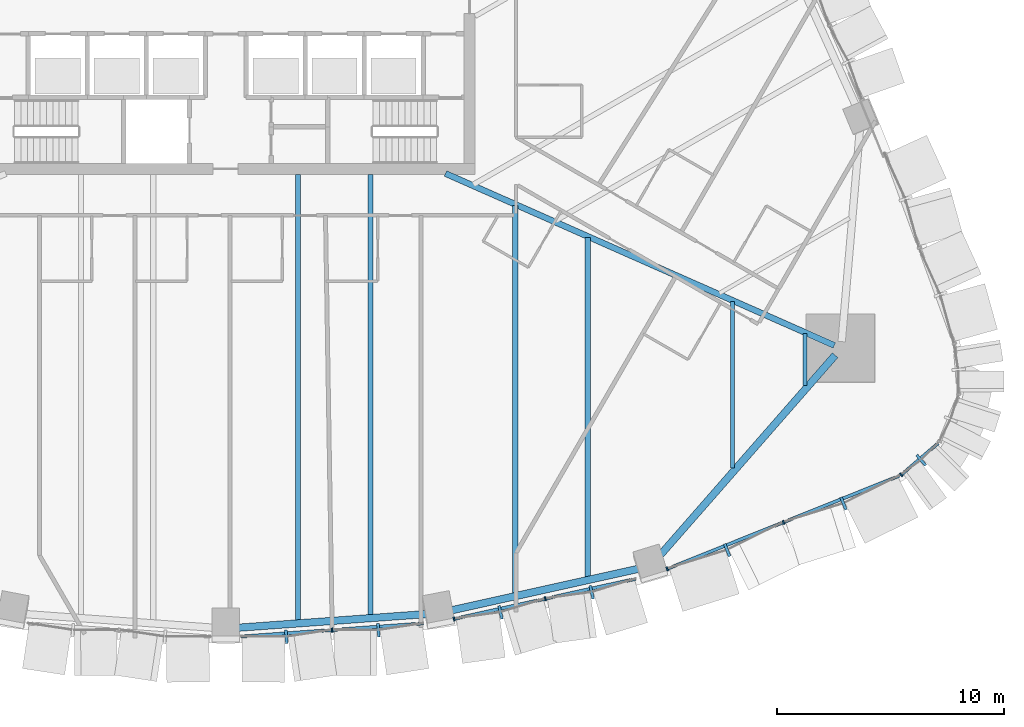
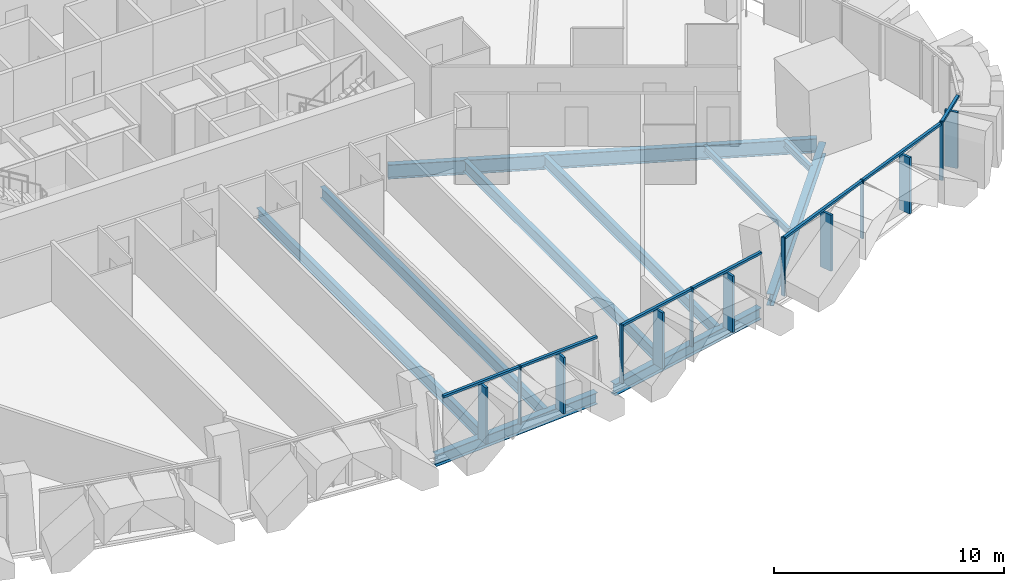
# One storey, part 4 of 23: 20 members, 10 beams, 4 elements without a shape of their own.
"""IFC4 building model written with IfcOpenShell, lengths in metres."""

from ifc_helpers import new_model, si_unit, direction, frame, origin, origin_2d, place, context, subcontext, project, spatial, rectangle, i_section, extrude, material, layer, layer_set, material_profile, profile_set, type_object, element, aggregate, save


model = new_model("IFC4")

# Units and contexts
model_context = context("Model", 3, precision=1e-05, world=origin(), true_north=direction((0.0, 1.0)))
body_context = subcontext(model_context, "Body", "Model", "MODEL_VIEW")
ifc_project = project(units=[si_unit("LENGTHUNIT", "METRE"), si_unit("AREAUNIT", "SQUARE_METRE"), si_unit("VOLUMEUNIT", "CUBIC_METRE"), si_unit("PLANEANGLEUNIT", "RADIAN"), si_unit("MASSUNIT", "GRAM", prefix="KILO")], contexts=[model_context])

# Site, building, storey
site_placement = place(None, origin())
site = spatial("IfcSite", under=ifc_project, at=site_placement, CompositionType="ELEMENT")
building_placement = place(site_placement, origin())
building = spatial("IfcBuilding", under=site, at=building_placement, Name="Sierra Prisma Convention Tower", CompositionType="ELEMENT")
storey_placement = place(building_placement, frame((0.0, 0.0, 51.699951171875)))
storey = spatial("IfcBuildingStorey", under=building, at=storey_placement, Name="L08", CompositionType="ELEMENT", Elevation=51.699951171875)

# Curtain wall, members
ifc_material_1 = material(Name="Aluminium and glass curtain wall", Category="aluminium")
ifc_layer = layer(ifc_material_1, 0.179931640625)
ifc_layer_set = layer_set([ifc_layer], Name="CW-2 Faceted crystal curtain wall")
curtain_wall_type = type_object("IfcCurtainWallType", Name="CW-2 Faceted crystal curtain wall", PredefinedType="NOTDEFINED", material=ifc_layer_set)
curtain_wall_1_placement = place(storey_placement, origin())
curtain_wall_1 = element("IfcCurtainWall", 1, at=curtain_wall_1_placement, inside=storey, type_object=curtain_wall_type, Name="CW-2 S4 L08", PredefinedType="NOTDEFINED")
ifc_material_2 = material(Name="Aluminium 6063-T6 bronze anodised", Category="aluminium")
ifc_material_profile_1 = material_profile(ifc_material_2, rectangle(XDim=0.1201171875, YDim=0.60009765625, at=origin_2d()), Name="ALU RIDGE BLADE 120x600")
ifc_profile_set_1 = profile_set([ifc_material_profile_1], Name="Aluminium 6063-T6 bronze anodised")
member_type_1 = type_object("IfcMemberType", Name="CW hip bronze", PredefinedType="MULLION", material=ifc_profile_set_1)
member_1_placement = place(storey_placement, frame((2.67431640625, -28.37890625, 0.0), z_axis=(0.0, 0.0, 1.0), x_axis=(0.997411104525, 0.071910281389, 0.0)))
member_1 = element("IfcMember", 2, at=member_1_placement, type_object=member_type_1, Name="CW-2 ridge S4.1", PredefinedType="MULLION", context=body_context, shape_type="SweptSolid", body=[
    extrude(rectangle(XDim=0.1201171875, YDim=0.60009765625, at=origin_2d()), origin(), (0.0, 0.0, 1.0), 2.97998046875),
])
member_2_placement = place(storey_placement, frame((6.733642578125, -28.08642578125, 0.0), z_axis=(0.0, 0.0, 1.0), x_axis=(0.997411104525, 0.071910281389, 0.0)))
member_2 = element("IfcMember", 3, at=member_2_placement, type_object=member_type_1, Name="CW-2 ridge S4.2", PredefinedType="MULLION", context=body_context, shape_type="SweptSolid", body=[
    extrude(rectangle(XDim=0.1201171875, YDim=0.60009765625, at=origin_2d()), origin(), (0.0, 0.0, 1.0), 2.97998046875),
])

curtain_wall_2_placement = place(storey_placement, origin())
curtain_wall_2 = element("IfcCurtainWall", 4, at=curtain_wall_2_placement, inside=storey, type_object=curtain_wall_type, Name="CW-2 S5 L08", PredefinedType="NOTDEFINED")
member_3_placement = place(storey_placement, frame((12.114013671875, -27.29833984375, 0.0), z_axis=(0.0, 0.0, 1.0), x_axis=(0.976517484103, 0.215438165701, 0.0)))
member_3 = element("IfcMember", 5, at=member_3_placement, type_object=member_type_1, Name="CW-2 ridge S5.1", PredefinedType="MULLION", context=body_context, shape_type="SweptSolid", body=[
    extrude(rectangle(XDim=0.1201171875, YDim=0.60009765625, at=origin_2d()), origin(), (0.0, 0.0, 1.0), 2.97998046875),
])
member_4_placement = place(storey_placement, frame((16.13427734375, -26.41162109375, 0.0), z_axis=(0.0, 0.0, 1.0), x_axis=(0.976517484103, 0.215438165701, 0.0)))
member_4 = element("IfcMember", 6, at=member_4_placement, type_object=member_type_1, Name="CW-2 ridge S5.2", PredefinedType="MULLION", context=body_context, shape_type="SweptSolid", body=[
    extrude(rectangle(XDim=0.1201171875, YDim=0.60009765625, at=origin_2d()), origin(), (0.0, 0.0, 1.0), 2.97998046875),
])

curtain_wall_3_placement = place(storey_placement, origin())
curtain_wall_3 = element("IfcCurtainWall", 7, at=curtain_wall_3_placement, inside=storey, type_object=curtain_wall_type, Name="CW-2 S6 L08", PredefinedType="NOTDEFINED")
member_5_placement = place(storey_placement, frame((22.105712890625, -24.553955078125, 0.0), z_axis=(0.0, 0.0, 1.0), x_axis=(0.928218469403, 0.372035580367, 0.0)))
member_5 = element("IfcMember", 8, at=member_5_placement, type_object=member_type_1, Name="CW-2 ridge S6.1", PredefinedType="MULLION", context=body_context, shape_type="SweptSolid", body=[
    extrude(rectangle(XDim=0.1201171875, YDim=0.60009765625, at=origin_2d()), origin(), (0.0, 0.0, 1.0), 2.97998046875),
])
member_6_placement = place(storey_placement, frame((27.234375, -22.498291015625, 0.0), z_axis=(0.0, 0.0, 1.0), x_axis=(0.928218469403, 0.372035580367, 0.0)))
member_6 = element("IfcMember", 9, at=member_6_placement, type_object=member_type_1, Name="CW-2 ridge S6.2", PredefinedType="MULLION", context=body_context, shape_type="SweptSolid", body=[
    extrude(rectangle(XDim=0.1201171875, YDim=0.60009765625, at=origin_2d()), origin(), (0.0, 0.0, 1.0), 2.97998046875),
])

# Curtain wall, member
curtain_wall_4_placement = place(storey_placement, origin())
curtain_wall_4 = element("IfcCurtainWall", 10, at=curtain_wall_4_placement, inside=storey, type_object=curtain_wall_type, Name="CW-2 SE1 L08", PredefinedType="NOTDEFINED")
member_7_placement = place(storey_placement, frame((30.658447265625, -20.591064453125, 0.0), z_axis=(0.0, 0.0, 1.0), x_axis=(0.759758893497, 0.650204909049, 0.0)))
member_7 = element("IfcMember", 11, at=member_7_placement, type_object=member_type_1, Name="CW-2 ridge SE1.1", PredefinedType="MULLION", context=body_context, shape_type="SweptSolid", body=[
    extrude(rectangle(XDim=0.1201171875, YDim=0.60009765625, at=origin_2d()), origin(), (0.0, 0.0, 1.0), 2.97998046875),
])

# Member
ifc_material_3 = material(Name="Aluminium 6063-T6 bronze anodised", Category="aluminium")
ifc_material_profile_2 = material_profile(ifc_material_3, rectangle(XDim=0.179931640625, YDim=0.070068359375, at=origin_2d()), Name="ALU MULLION 70x180")
ifc_profile_set_2 = profile_set([ifc_material_profile_2], Name="Aluminium 6063-T6 bronze anodised")
member_type_2 = type_object("IfcMemberType", Name="CW mullion bronze", PredefinedType="MULLION", material=ifc_profile_set_2)
member_8_placement = place(storey_placement, frame((4.692626953125, -28.07568359375, 0.0), z_axis=(0.0, 0.0, 1.0), x_axis=(-0.071910281389, 0.997411104525, 0.0)))
member_8 = element("IfcMember", 12, at=member_8_placement, type_object=member_type_2, Name="CW-1 mullion S4.2", PredefinedType="MULLION", context=body_context, shape_type="SweptSolid", body=[
    extrude(rectangle(XDim=0.179931640625, YDim=0.070068359375, at=origin_2d()), origin(), (0.0, 0.0, 1.0), 3.10009765625),
])

member_9_placement = place(storey_placement, frame((10.069580078125, -27.58642578125, 0.0), z_axis=(0.0, 0.0, 1.0), x_axis=(-0.215438165701, 0.976517484103, 0.0)))
member_9 = element("IfcMember", 13, at=member_9_placement, type_object=member_type_2, Name="CW-1 mullion S5.1", PredefinedType="MULLION", context=body_context, shape_type="SweptSolid", body=[
    extrude(rectangle(XDim=0.179931640625, YDim=0.070068359375, at=origin_2d()), origin(), (0.0, 0.0, 1.0), 3.10009765625),
])

member_10_placement = place(storey_placement, frame((14.08984375, -26.699462890625, 0.0), z_axis=(0.0, 0.0, 1.0), x_axis=(-0.215438165701, 0.976517484103, 0.0)))
member_10 = element("IfcMember", 14, at=member_10_placement, type_object=member_type_2, Name="CW-1 mullion S5.2", PredefinedType="MULLION", context=body_context, shape_type="SweptSolid", body=[
    extrude(rectangle(XDim=0.179931640625, YDim=0.070068359375, at=origin_2d()), origin(), (0.0, 0.0, 1.0), 3.10009765625),
])

member_11_placement = place(storey_placement, frame((19.46142578125, -25.382568359375, 0.0), z_axis=(0.0, 0.0, 1.0), x_axis=(-0.372035580367, 0.928218469403, 0.0)))
member_11 = element("IfcMember", 15, at=member_11_placement, type_object=member_type_2, Name="CW-1 mullion S6.1", PredefinedType="MULLION", context=body_context, shape_type="SweptSolid", body=[
    extrude(rectangle(XDim=0.179931640625, YDim=0.070068359375, at=origin_2d()), origin(), (0.0, 0.0, 1.0), 3.10009765625),
])

member_12_placement = place(storey_placement, frame((24.59033203125, -23.326904296875, 0.0), z_axis=(0.0, 0.0, 1.0), x_axis=(-0.372035580367, 0.928218469403, 0.0)))
member_12 = element("IfcMember", 16, at=member_12_placement, type_object=member_type_2, Name="CW-1 mullion S6.2", PredefinedType="MULLION", context=body_context, shape_type="SweptSolid", body=[
    extrude(rectangle(XDim=0.179931640625, YDim=0.070068359375, at=origin_2d()), origin(), (0.0, 0.0, 1.0), 3.10009765625),
])

member_13_placement = place(storey_placement, frame((29.778076171875, -21.235595703125, 0.0), z_axis=(0.0, 0.0, 1.0), x_axis=(-0.650204909049, 0.759758893497, 0.0)))
member_13 = element("IfcMember", 17, at=member_13_placement, type_object=member_type_2, Name="CW-1 mullion SE1.1", PredefinedType="MULLION", context=body_context, shape_type="SweptSolid", body=[
    extrude(rectangle(XDim=0.179931640625, YDim=0.070068359375, at=origin_2d()), origin(), (0.0, 0.0, 1.0), 3.10009765625),
])

ifc_material_4 = material(Name="Aluminium 6063-T6 bronze anodised", Category="aluminium")
ifc_material_profile_3 = material_profile(ifc_material_4, rectangle(XDim=0.139892578125, YDim=0.1201171875, at=origin_2d()), Name="ALU TRANSOM 120x140")
ifc_profile_set_3 = profile_set([ifc_material_profile_3], Name="Aluminium 6063-T6 bronze anodised")
member_type_3 = type_object("IfcMemberType", Name="CW transom bronze", PredefinedType="USERDEFINED", material=ifc_profile_set_3)
member_14_placement = place(storey_placement, frame((0.668212890625, -28.36572265625, 3.0400390625), z_axis=(0.997411699787, 0.0719020245, 0.0), x_axis=(-0.0719020245, 0.997411699787, 0.0)))
member_14 = element("IfcMember", 18, at=member_14_placement, type_object=member_type_3, Name="CW-1 transom S4.1", ObjectType="TRANSOM", PredefinedType="USERDEFINED", context=body_context, shape_type="SweptSolid", body=[
    extrude(rectangle(XDim=0.139892578125, YDim=0.1201171875, at=origin_2d()), origin(), (0.0, 0.0, 1.0), 3.999755859375),
])

member_15_placement = place(storey_placement, frame((4.7275390625, -28.0732421875, 3.0400390625), z_axis=(0.997411699787, 0.0719020245, 0.0), x_axis=(-0.0719020245, 0.997411699787, 0.0)))
member_15 = element("IfcMember", 19, at=member_15_placement, type_object=member_type_3, Name="CW-1 transom S4.2", ObjectType="TRANSOM", PredefinedType="USERDEFINED", context=body_context, shape_type="SweptSolid", body=[
    extrude(rectangle(XDim=0.139892578125, YDim=0.1201171875, at=origin_2d()), origin(), (0.0, 0.0, 1.0), 3.999755859375),
])

aggregate(curtain_wall_1, [member_8, member_14, member_1, member_15, member_2])

member_16_placement = place(storey_placement, frame((10.103759765625, -27.578857421875, 3.0400390625), z_axis=(0.976519481055, 0.215429113909, 0.0), x_axis=(-0.215429113909, 0.976519481055, 0.0)))
member_16 = element("IfcMember", 20, at=member_16_placement, type_object=member_type_3, Name="CW-1 transom S5.1", ObjectType="TRANSOM", PredefinedType="USERDEFINED", context=body_context, shape_type="SweptSolid", body=[
    extrude(rectangle(XDim=0.139892578125, YDim=0.1201171875, at=origin_2d()), origin(), (0.0, 0.0, 1.0), 4.046875),
])

member_17_placement = place(storey_placement, frame((14.1240234375, -26.69189453125, 3.0400390625), z_axis=(0.976519481055, 0.215429113909, 0.0), x_axis=(-0.215429113909, 0.976519481055, 0.0)))
member_17 = element("IfcMember", 21, at=member_17_placement, type_object=member_type_3, Name="CW-1 transom S5.2", ObjectType="TRANSOM", PredefinedType="USERDEFINED", context=body_context, shape_type="SweptSolid", body=[
    extrude(rectangle(XDim=0.139892578125, YDim=0.1201171875, at=origin_2d()), origin(), (0.0, 0.0, 1.0), 4.046875),
])

aggregate(curtain_wall_2, [member_9, member_10, member_16, member_3, member_17, member_4])

member_18_placement = place(storey_placement, frame((19.493896484375, -25.36962890625, 3.0400390625), z_axis=(0.928226491865, 0.372015563922, 0.0), x_axis=(-0.372015563922, 0.928226491865, 0.0)))
member_18 = element("IfcMember", 22, at=member_18_placement, type_object=member_type_3, Name="CW-1 transom S6.1", ObjectType="TRANSOM", PredefinedType="USERDEFINED", context=body_context, shape_type="SweptSolid", body=[
    extrude(rectangle(XDim=0.139892578125, YDim=0.1201171875, at=origin_2d()), origin(), (0.0, 0.0, 1.0), 5.45556640625),
])

member_19_placement = place(storey_placement, frame((24.622802734375, -23.31396484375, 3.0400390625), z_axis=(0.92822029813, 0.372031017712, 0.0), x_axis=(-0.372031017712, 0.92822029813, 0.0)))
member_19 = element("IfcMember", 23, at=member_19_placement, type_object=member_type_3, Name="CW-1 transom S6.2", ObjectType="TRANSOM", PredefinedType="USERDEFINED", context=body_context, shape_type="SweptSolid", body=[
    extrude(rectangle(XDim=0.139892578125, YDim=0.1201171875, at=origin_2d()), origin(), (0.0, 0.0, 1.0), 5.455322265625),
])

aggregate(curtain_wall_3, [member_11, member_12, member_18, member_5, member_19, member_6])

member_20_placement = place(storey_placement, frame((29.8046875, -21.212890625, 3.0400390625), z_axis=(0.759755527336, 0.65020884236, 0.0), x_axis=(-0.65020884236, 0.759755527336, 0.0)))
member_20 = element("IfcMember", 24, at=member_20_placement, type_object=member_type_3, Name="CW-1 transom SE1.1", ObjectType="TRANSOM", PredefinedType="USERDEFINED", context=body_context, shape_type="SweptSolid", body=[
    extrude(rectangle(XDim=0.139892578125, YDim=0.1201171875, at=origin_2d()), origin(), (0.0, 0.0, 1.0), 2.10595703125),
])

aggregate(curtain_wall_4, [member_13, member_20, member_7])

# Beams
ifc_material_5 = material(Name="Steel ASTM A992 Gr 50", Category="steel")
ifc_material_profile_4 = material_profile(ifc_material_5, i_section(OverallWidth=0.172119140625, OverallDepth=0.35791015625, WebThickness=0.0078125, FlangeThickness=0.01318359375, at=origin_2d()), Name="W360x57")
ifc_profile_set_4 = profile_set([ifc_material_profile_4], Name="Steel ASTM A992 Gr 50")
beam_type_1 = type_object("IfcBeamType", Name="Floor joist W360x57", PredefinedType="JOIST", material=ifc_profile_set_4)
beam_1_placement = place(storey_placement, frame((22.341064453125, -20.935546875, -0.328857421875), z_axis=(0.0, 1.0, 0.0), x_axis=(-1.0, 0.0, 0.0)))
element("IfcBeam", 25, at=beam_1_placement, inside=storey, type_object=beam_type_1, Name="Floor joist L08 S16", PredefinedType="JOIST", context=body_context, shape_type="SweptSolid", body=[
    extrude(i_section(OverallWidth=0.172119140625, OverallDepth=0.35791015625, WebThickness=0.0078125, FlangeThickness=0.01318359375, at=origin_2d()), origin(), (0.0, 0.0, 1.0), 7.331787109375),
])
beam_2_placement = place(storey_placement, frame((25.53271484375, -17.2890625, -0.328857421875), z_axis=(0.0, 1.0, 0.0), x_axis=(-1.0, 0.0, 0.0)))
element("IfcBeam", 26, at=beam_2_placement, inside=storey, type_object=beam_type_1, Name="Floor joist L08 S17", PredefinedType="JOIST", context=body_context, shape_type="SweptSolid", body=[
    extrude(i_section(OverallWidth=0.172119140625, OverallDepth=0.35791015625, WebThickness=0.0078125, FlangeThickness=0.01318359375, at=origin_2d()), origin(), (0.0, 0.0, 1.0), 2.274169921875),
])
ifc_material_6 = material(Name="Steel ASTM A992 Gr 50", Category="steel")
ifc_material_profile_5 = material_profile(ifc_material_6, i_section(OverallWidth=0.22802734375, OverallDepth=0.60302734375, WebThickness=0.010498046875, FlangeThickness=0.014892578125, at=origin_2d()), Name="W610x101")
ifc_profile_set_5 = profile_set([ifc_material_profile_5], Name="Steel ASTM A992 Gr 50")
beam_type_2 = type_object("IfcBeamType", Name="Floor joist W610x101", PredefinedType="JOIST", material=ifc_profile_set_5)
beam_3_placement = place(storey_placement, frame((3.191650390625, -27.66943359375, -0.451416015625), z_axis=(0.0, 1.0, 0.0), x_axis=(-1.0, 0.0, 0.0)))
element("IfcBeam", 27, at=beam_3_placement, inside=storey, type_object=beam_type_2, Name="Floor joist L08 S10", PredefinedType="JOIST", context=body_context, shape_type="SweptSolid", body=[
    extrude(i_section(OverallWidth=0.22802734375, OverallDepth=0.60302734375, WebThickness=0.010498046875, FlangeThickness=0.014892578125, at=origin_2d()), origin(), (0.0, 0.0, 1.0), 19.66943359375),
])
beam_4_placement = place(storey_placement, frame((6.38330078125, -27.43798828125, -0.451416015625), z_axis=(0.0, 1.0, 0.0), x_axis=(-1.0, 0.0, 0.0)))
element("IfcBeam", 28, at=beam_4_placement, inside=storey, type_object=beam_type_2, Name="Floor joist L08 S11", PredefinedType="JOIST", context=body_context, shape_type="SweptSolid", body=[
    extrude(i_section(OverallWidth=0.22802734375, OverallDepth=0.60302734375, WebThickness=0.010498046875, FlangeThickness=0.014892578125, at=origin_2d()), origin(), (0.0, 0.0, 1.0), 19.43798828125),
])
beam_5_placement = place(storey_placement, frame((12.766357421875, -26.4658203125, -0.451416015625), z_axis=(0.0, 1.0, 0.0), x_axis=(-1.0, 0.0, 0.0)))
element("IfcBeam", 29, at=beam_5_placement, inside=storey, type_object=beam_type_2, Name="Floor joist L08 S13", PredefinedType="JOIST", context=body_context, shape_type="SweptSolid", body=[
    extrude(i_section(OverallWidth=0.22802734375, OverallDepth=0.60302734375, WebThickness=0.010498046875, FlangeThickness=0.014892578125, at=origin_2d()), origin(), (0.0, 0.0, 1.0), 17.09619140625),
])
beam_6_placement = place(storey_placement, frame((15.9580078125, -25.757080078125, -0.451416015625), z_axis=(0.0, 1.0, 0.0), x_axis=(-1.0, 0.0, 0.0)))
element("IfcBeam", 30, at=beam_6_placement, inside=storey, type_object=beam_type_2, Name="Floor joist L08 S14", PredefinedType="JOIST", context=body_context, shape_type="SweptSolid", body=[
    extrude(i_section(OverallWidth=0.22802734375, OverallDepth=0.60302734375, WebThickness=0.010498046875, FlangeThickness=0.014892578125, at=origin_2d()), origin(), (0.0, 0.0, 1.0), 14.97607421875),
])
ifc_material_7 = material(Name="Steel ASTM A992 Gr 50", Category="steel")
ifc_material_profile_6 = material_profile(ifc_material_7, i_section(OverallWidth=0.264892578125, OverallDepth=0.7529296875, WebThickness=0.01318359375, FlangeThickness=0.01708984375, at=origin_2d()), Name="W760x147")
ifc_profile_set_6 = profile_set([ifc_material_profile_6], Name="Steel ASTM A992 Gr 50")
beam_type_3 = type_object("IfcBeamType", Name="Radial girder W760x147", PredefinedType="BEAM", material=ifc_profile_set_6)
beam_7_placement = place(storey_placement, frame((26.82861328125, -15.530029296875, -0.5263671875), z_axis=(-0.914571759217, 0.404423660588, 0.0), x_axis=(-0.404423660588, -0.914571759217, 0.0)))
element("IfcBeam", 31, at=beam_7_placement, inside=storey, type_object=beam_type_3, Name="Radial girder L08 SE", PredefinedType="BEAM", context=body_context, shape_type="SweptSolid", body=[
    extrude(i_section(OverallWidth=0.264892578125, OverallDepth=0.7529296875, WebThickness=0.01318359375, FlangeThickness=0.01708984375, at=origin_2d()), origin(), (0.0, 0.0, 1.0), 18.7392578125),
])
ifc_material_8 = material(Name="Steel ASTM A992 Gr 50", Category="steel")
ifc_material_profile_7 = material_profile(ifc_material_8, i_section(OverallWidth=0.324951171875, OverallDepth=0.615966796875, WebThickness=0.013916015625, FlangeThickness=0.021484375, at=origin_2d()), Name="W610x174")
ifc_profile_set_7 = profile_set([ifc_material_profile_7], Name="Steel ASTM A992 Gr 50")
beam_type_4 = type_object("IfcBeamType", Name="Spandrel beam W610x174", PredefinedType="BEAM", material=ifc_profile_set_7)
beam_8_placement = place(storey_placement, frame((0.480224609375, -27.979248046875, -0.4580078125), z_axis=(0.99737766508, 0.072372599784, 0.0), x_axis=(-0.072372599784, 0.99737766508, 0.0)))
element("IfcBeam", 32, at=beam_8_placement, inside=storey, type_object=beam_type_4, Name="Spandrel L08-04", PredefinedType="BEAM", context=body_context, shape_type="SweptSolid", body=[
    extrude(i_section(OverallWidth=0.324951171875, OverallDepth=0.615966796875, WebThickness=0.013916015625, FlangeThickness=0.021484375, at=origin_2d()), origin(), (0.0, 0.0, 1.0), 8.447021484375),
])
beam_9_placement = place(storey_placement, frame((9.85546875, -27.228759765625, -0.4580078125), z_axis=(0.97622307802, 0.216768313969, 0.0), x_axis=(-0.216768313969, 0.97622307802, 0.0)))
element("IfcBeam", 33, at=beam_9_placement, inside=storey, type_object=beam_type_4, Name="Spandrel L08-05", PredefinedType="BEAM", context=body_context, shape_type="SweptSolid", body=[
    extrude(i_section(OverallWidth=0.324951171875, OverallDepth=0.615966796875, WebThickness=0.013916015625, FlangeThickness=0.021484375, at=origin_2d()), origin(), (0.0, 0.0, 1.0), 8.609130859375),
])
beam_10_placement = place(storey_placement, frame((19.117431640625, -24.815673828125, -0.4580078125), z_axis=(0.65860744044, 0.752486703801, 0.0), x_axis=(-0.752486703801, 0.65860744044, 0.0)))
element("IfcBeam", 34, at=beam_10_placement, inside=storey, type_object=beam_type_4, Name="Spandrel L08-06", PredefinedType="BEAM", context=body_context, shape_type="SweptSolid", body=[
    extrude(i_section(OverallWidth=0.324951171875, OverallDepth=0.615966796875, WebThickness=0.013916015625, FlangeThickness=0.021484375, at=origin_2d()), origin(), (0.0, 0.0, 1.0), 11.76513671875),
])

save(model, "model.ifc")
